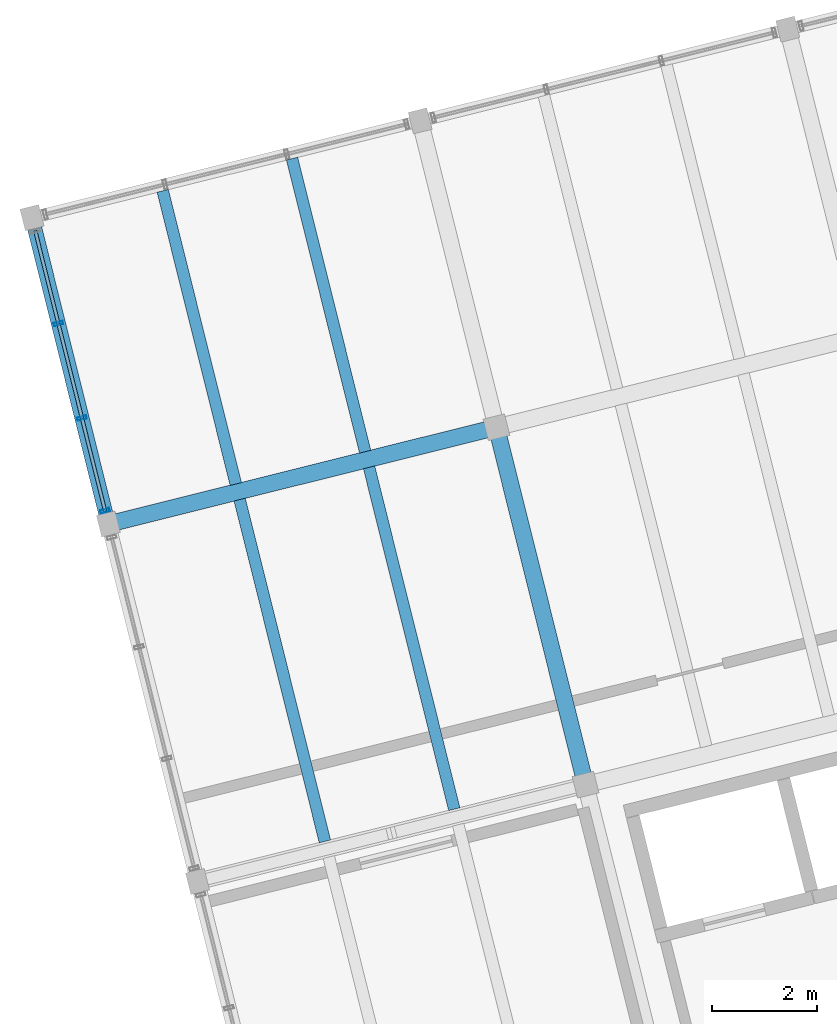
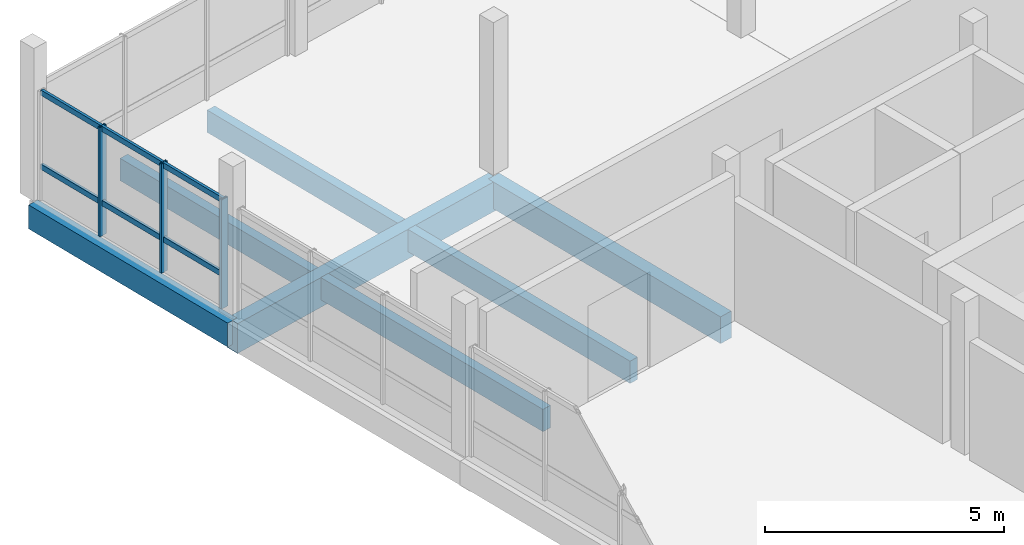
# One storey, part 9 of 28: 9 members, 7 beams, 1 element without a shape of its own.
"""IFC4 building model written with IfcOpenShell, lengths in metres."""

from ifc_helpers import new_model, si_unit, direction, frame, origin, origin_2d, place, context, subcontext, project, spatial, rectangle, hollow_rectangle, extrude, material, layer, layer_set, material_profile, profile_set, type_object, element, aggregate, save


model = new_model("IFC4")

# Units and contexts
model_context = context("Model", 3, precision=1e-05, world=origin(), true_north=direction((0.0, 1.0)))
body_context = subcontext(model_context, "Body", "Model", "MODEL_VIEW")
ifc_project = project(units=[si_unit("LENGTHUNIT", "METRE"), si_unit("AREAUNIT", "SQUARE_METRE"), si_unit("VOLUMEUNIT", "CUBIC_METRE"), si_unit("PLANEANGLEUNIT", "RADIAN"), si_unit("MASSUNIT", "GRAM", prefix="KILO")], contexts=[model_context])

# Site, building, storey
site_placement = place(None, origin())
site = spatial("IfcSite", under=ifc_project, at=site_placement, CompositionType="ELEMENT")
building_placement = place(site_placement, origin())
building = spatial("IfcBuilding", under=site, at=building_placement, Name="Meriwether Solvik Hall", CompositionType="ELEMENT")
storey_placement = place(building_placement, frame((0.0, 0.0, 30.0)))
storey = spatial("IfcBuildingStorey", under=building, at=storey_placement, Name="L07", CompositionType="ELEMENT", Elevation=30.0)

# Beams
ifc_material_1 = material(Name="Glulam Douglas-Fir 24F-V8 GL28h", Category="wood")
ifc_material_profile_1 = material_profile(ifc_material_1, rectangle(XDim=0.27294921875, YDim=0.610107421875, at=origin_2d()), Name="GLB-273X610")
ifc_profile_set_1 = profile_set([ifc_material_profile_1], Name="Glulam Douglas-Fir 24F-V8 GL28h")
beam_type_1 = type_object("IfcBeamType", Name="BM-GL-273X610", PredefinedType="SPANDREL", material=ifc_profile_set_1)
beam_1_placement = place(storey_placement, frame((61.826171875, 68.3681640625, -0.52490234375), z_axis=(-0.241903677572, 0.970300268359, 0.0), x_axis=(-0.970300268359, -0.241903677572, 0.0)))
element("IfcBeam", 1, at=beam_1_placement, inside=storey, type_object=beam_type_1, Name="Tower Girder T1:TE-TF (L07)", PredefinedType="SPANDREL", context=body_context, shape_type="SweptSolid", body=[
    extrude(rectangle(XDim=0.27294921875, YDim=0.610107421875, at=origin_2d()), origin(), (0.0, 0.0, 1.0), 6.0),
])
ifc_material_2 = material(Name="Glulam Douglas-Fir 24F-V8 GL28h", Category="wood")
ifc_material_profile_2 = material_profile(ifc_material_2, rectangle(XDim=0.31494140625, YDim=0.68505859375, at=origin_2d()), Name="GLB-315X685")
ifc_profile_set_2 = profile_set([ifc_material_profile_2], Name="Glulam Douglas-Fir 24F-V8 GL28h")
beam_type_2 = type_object("IfcBeamType", Name="BM-GL-315X685", PredefinedType="BEAM", material=ifc_profile_set_2)
beam_2_placement = place(storey_placement, frame((70.893798828125, 63.414794921875, -0.5625), z_axis=(-0.241911879182, 0.970298223594, 0.0), x_axis=(-0.970298223594, -0.241911879182, 0.0)))
element("IfcBeam", 2, at=beam_2_placement, inside=storey, type_object=beam_type_2, Name="Tower Girder T2:TD-TE (L07)", PredefinedType="BEAM", context=body_context, shape_type="SweptSolid", body=[
    extrude(rectangle(XDim=0.31494140625, YDim=0.68505859375, at=origin_2d()), origin(), (0.0, 0.0, 1.0), 7.0),
])
ifc_material_3 = material(Name="Glulam Douglas-Fir 24F-V8 GL28h", Category="wood")
ifc_material_profile_3 = material_profile(ifc_material_3, rectangle(XDim=0.31494140625, YDim=0.760009765625, at=origin_2d()), Name="GLB-315X760")
ifc_profile_set_3 = profile_set([ifc_material_profile_3], Name="Glulam Douglas-Fir 24F-V8 GL28h")
beam_type_3 = type_object("IfcBeamType", Name="BM-GL-315X760", PredefinedType="BEAM", material=ifc_profile_set_3)
beam_3_placement = place(storey_placement, frame((61.826171875, 68.3681640625, -0.60009765625), z_axis=(0.970295366785, 0.241923337436, 0.0), x_axis=(-0.241923337436, 0.970295366785, 0.0)))
element("IfcBeam", 3, at=beam_3_placement, inside=storey, type_object=beam_type_3, Name="Tower Girder TE:T1-T2 (L07)", PredefinedType="BEAM", context=body_context, shape_type="SweptSolid", body=[
    extrude(rectangle(XDim=0.31494140625, YDim=0.760009765625, at=origin_2d()), origin(), (0.0, 0.0, 1.0), 7.60009765625),
])

# Curtain wall, members
ifc_material_4 = material(Name="Thermally Broken Anodised Aluminium 6063-T6 and Low-E Glass", Category="aluminium")
ifc_layer = layer(ifc_material_4, 0.179931640625)
ifc_layer_set = layer_set([ifc_layer], Name="Thermally Broken Anodised Aluminium 6063-T6 and Low-E Glass")
curtain_wall_type = type_object("IfcCurtainWallType", Name="CW-UNIT-G", PredefinedType="USERDEFINED", material=ifc_layer_set)
curtain_wall_placement = place(storey_placement, origin())
curtain_wall = element("IfcCurtainWall", 4, at=curtain_wall_placement, inside=storey, type_object=curtain_wall_type, Name="Curtain Wall E5_B4 (L07)", ObjectType="UNITISED CURTAIN WALL", PredefinedType="USERDEFINED")
ifc_material_5 = material(Name="Anodised Aluminium 6063-T6", Category="aluminium")
ifc_material_profile_4 = material_profile(ifc_material_5, hollow_rectangle(XDim=0.06494140625, YDim=0.179931640625, WallThickness=0.00439453125, at=origin_2d()), Name="CWM-65X180")
ifc_profile_set_4 = profile_set([ifc_material_profile_4], Name="Anodised Aluminium 6063-T6")
member_type_1 = type_object("IfcMemberType", Name="CW-MUL-65X180", PredefinedType="MULLION", material=ifc_profile_set_4)
member_1_placement = place(storey_placement, frame((61.76318359375, 68.62060546875, 0.0), z_axis=(0.0, 0.0, 1.0), x_axis=(-0.241921889131, 0.970295727889, 0.0)))
member_1 = element("IfcMember", 5, at=member_1_placement, type_object=member_type_1, Name="Curtain Wall Mullion 1", PredefinedType="MULLION", context=body_context, shape_type="SweptSolid", body=[
    extrude(hollow_rectangle(XDim=0.06494140625, YDim=0.179931640625, WallThickness=0.00439453125, at=origin_2d()), origin(), (0.0, 0.0, 1.0), 2.7900390625),
])
member_2_placement = place(storey_placement, frame((61.324462890625, 70.380615234375, 0.0), z_axis=(0.0, 0.0, 1.0), x_axis=(-0.241921889131, 0.970295727889, 0.0)))
member_2 = element("IfcMember", 6, at=member_2_placement, type_object=member_type_1, Name="Curtain Wall Mullion 2", PredefinedType="MULLION", context=body_context, shape_type="SweptSolid", body=[
    extrude(hollow_rectangle(XDim=0.06494140625, YDim=0.179931640625, WallThickness=0.00439453125, at=origin_2d()), origin(), (0.0, 0.0, 1.0), 2.7900390625),
])
member_3_placement = place(storey_placement, frame((60.87646484375, 72.177734375, 0.0), z_axis=(0.0, 0.0, 1.0), x_axis=(-0.241921889131, 0.970295727889, 0.0)))
member_3 = element("IfcMember", 7, at=member_3_placement, type_object=member_type_1, Name="Curtain Wall Mullion 3", PredefinedType="MULLION", context=body_context, shape_type="SweptSolid", body=[
    extrude(hollow_rectangle(XDim=0.06494140625, YDim=0.179931640625, WallThickness=0.00439453125, at=origin_2d()), origin(), (0.0, 0.0, 1.0), 2.7900390625),
])
ifc_material_6 = material(Name="Anodised Aluminium 6063-T6", Category="aluminium")
ifc_material_profile_5 = material_profile(ifc_material_6, hollow_rectangle(XDim=0.06494140625, YDim=0.139892578125, WallThickness=0.00439453125, at=origin_2d()), Name="CWT-65X140")
ifc_profile_set_5 = profile_set([ifc_material_profile_5], Name="Anodised Aluminium 6063-T6")
member_type_2 = type_object("IfcMemberType", Name="CW-TRN-65X140", PredefinedType="USERDEFINED", material=ifc_profile_set_5)
member_4_placement = place(storey_placement, frame((61.76318359375, 68.62060546875, 0.8369140625), z_axis=(-0.241870501362, 0.970308538853, 0.0), x_axis=(-0.970308538853, -0.241870501362, 0.0)))
member_4 = element("IfcMember", 8, at=member_4_placement, type_object=member_type_2, Name="Curtain Wall Transom 1-sill", ObjectType="TRANSOM", PredefinedType="USERDEFINED", context=body_context, shape_type="SweptSolid", body=[
    extrude(hollow_rectangle(XDim=0.06494140625, YDim=0.139892578125, WallThickness=0.00439453125, at=origin_2d()), origin(), (0.0, 0.0, 1.0), 1.81396484375),
])
member_5_placement = place(storey_placement, frame((61.76318359375, 68.62060546875, 2.72998046875), z_axis=(-0.241870501362, 0.970308538853, 0.0), x_axis=(-0.970308538853, -0.241870501362, 0.0)))
member_5 = element("IfcMember", 9, at=member_5_placement, type_object=member_type_2, Name="Curtain Wall Transom 1-head", ObjectType="TRANSOM", PredefinedType="USERDEFINED", context=body_context, shape_type="SweptSolid", body=[
    extrude(hollow_rectangle(XDim=0.06494140625, YDim=0.139892578125, WallThickness=0.00439453125, at=origin_2d()), origin(), (0.0, 0.0, 1.0), 1.81396484375),
])
member_6_placement = place(storey_placement, frame((61.324462890625, 70.380615234375, 0.8369140625), z_axis=(-0.241884239197, 0.970305114295, 0.0), x_axis=(-0.970305114295, -0.241884239197, 0.0)))
member_6 = element("IfcMember", 10, at=member_6_placement, type_object=member_type_2, Name="Curtain Wall Transom 2-sill", ObjectType="TRANSOM", PredefinedType="USERDEFINED", context=body_context, shape_type="SweptSolid", body=[
    extrude(hollow_rectangle(XDim=0.06494140625, YDim=0.139892578125, WallThickness=0.00439453125, at=origin_2d()), origin(), (0.0, 0.0, 1.0), 1.85205078125),
])
member_7_placement = place(storey_placement, frame((61.324462890625, 70.380615234375, 2.72998046875), z_axis=(-0.241884239197, 0.970305114295, 0.0), x_axis=(-0.970305114295, -0.241884239197, 0.0)))
member_7 = element("IfcMember", 11, at=member_7_placement, type_object=member_type_2, Name="Curtain Wall Transom 2-head", ObjectType="TRANSOM", PredefinedType="USERDEFINED", context=body_context, shape_type="SweptSolid", body=[
    extrude(hollow_rectangle(XDim=0.06494140625, YDim=0.139892578125, WallThickness=0.00439453125, at=origin_2d()), origin(), (0.0, 0.0, 1.0), 1.85205078125),
])
member_8_placement = place(storey_placement, frame((60.87646484375, 72.177734375, 0.8369140625), z_axis=(-0.241997217907, 0.97027694321, 0.0), x_axis=(-0.97027694321, -0.241997217907, 0.0)))
member_8 = element("IfcMember", 12, at=member_8_placement, type_object=member_type_2, Name="Curtain Wall Transom 3-sill", ObjectType="TRANSOM", PredefinedType="USERDEFINED", context=body_context, shape_type="SweptSolid", body=[
    extrude(hollow_rectangle(XDim=0.06494140625, YDim=0.139892578125, WallThickness=0.00439453125, at=origin_2d()), origin(), (0.0, 0.0, 1.0), 1.81396484375),
])
member_9_placement = place(storey_placement, frame((60.87646484375, 72.177734375, 2.72998046875), z_axis=(-0.241997217907, 0.97027694321, 0.0), x_axis=(-0.97027694321, -0.241997217907, 0.0)))
member_9 = element("IfcMember", 13, at=member_9_placement, type_object=member_type_2, Name="Curtain Wall Transom 3-head", ObjectType="TRANSOM", PredefinedType="USERDEFINED", context=body_context, shape_type="SweptSolid", body=[
    extrude(hollow_rectangle(XDim=0.06494140625, YDim=0.139892578125, WallThickness=0.00439453125, at=origin_2d()), origin(), (0.0, 0.0, 1.0), 1.81396484375),
])
aggregate(curtain_wall, [member_1, member_2, member_3, member_4, member_5, member_6, member_7, member_8, member_9])

# Beams
ifc_material_7 = material(Name="Glulam Douglas-Fir 24F-V8 GL28h", Category="wood")
ifc_material_profile_6 = material_profile(ifc_material_7, rectangle(XDim=0.221923828125, YDim=0.570068359375, at=origin_2d()), Name="GLJ-222X570")
ifc_profile_set_6 = profile_set([ifc_material_profile_6], Name="Glulam Douglas-Fir 24F-V8 GL28h")
beam_type_4 = type_object("IfcBeamType", Name="JST-GL-222X570", PredefinedType="JOIST", material=ifc_profile_set_6)
for number, where, z_axis, x_axis, name in (
    (14, (65.94091796875, 62.337158203125, -0.5048828125), (-0.241952124656, 0.970288188825, 0.0), (-0.970288188825, -0.241952124656, 0.0), "Glulam Floor Joist T1/TD-J1 (L07)"),
    (15, (68.39892578125, 62.949951171875, -0.5048828125), (-0.241917792922, 0.970296749179, 0.0), (-0.970296749179, -0.241917792922, 0.0), "Glulam Floor Joist T1/TD-J2 (L07)"),
):
    element("IfcBeam", number, at=place(storey_placement, frame(where, z_axis=z_axis, x_axis=x_axis)), inside=storey, type_object=beam_type_4, Name=name, PredefinedType="JOIST", context=body_context, shape_type="SweptSolid", body=[
        extrude(rectangle(XDim=0.221923828125, YDim=0.570068359375, at=origin_2d()), origin(), (0.0, 0.0, 1.0), 6.695068359375),
    ])
beam_4_placement = place(storey_placement, frame((64.247314453125, 69.129150390625, -0.5048828125), z_axis=(-0.241915235082, 0.970297386905, 0.0), x_axis=(-0.970297386905, -0.241915235082, 0.0)))
element("IfcBeam", 16, at=beam_4_placement, inside=storey, type_object=beam_type_4, Name="Glulam Floor Joist T1/TE-J1 (L07)", PredefinedType="JOIST", context=body_context, shape_type="SweptSolid", body=[
    extrude(rectangle(XDim=0.221923828125, YDim=0.570068359375, at=origin_2d()), origin(), (0.0, 0.0, 1.0), 5.741455078125),
])
beam_5_placement = place(storey_placement, frame((66.70556640625, 69.741943359375, -0.5048828125), z_axis=(-0.241945286667, 0.970289893928, 0.0), x_axis=(-0.970289893928, -0.241945286667, 0.0)))
element("IfcBeam", 17, at=beam_5_placement, inside=storey, type_object=beam_type_4, Name="Glulam Floor Joist T1/TE-J2 (L07)", PredefinedType="JOIST", context=body_context, shape_type="SweptSolid", body=[
    extrude(rectangle(XDim=0.221923828125, YDim=0.570068359375, at=origin_2d()), origin(), (0.0, 0.0, 1.0), 5.74169921875),
])

save(model, "model.ifc")
